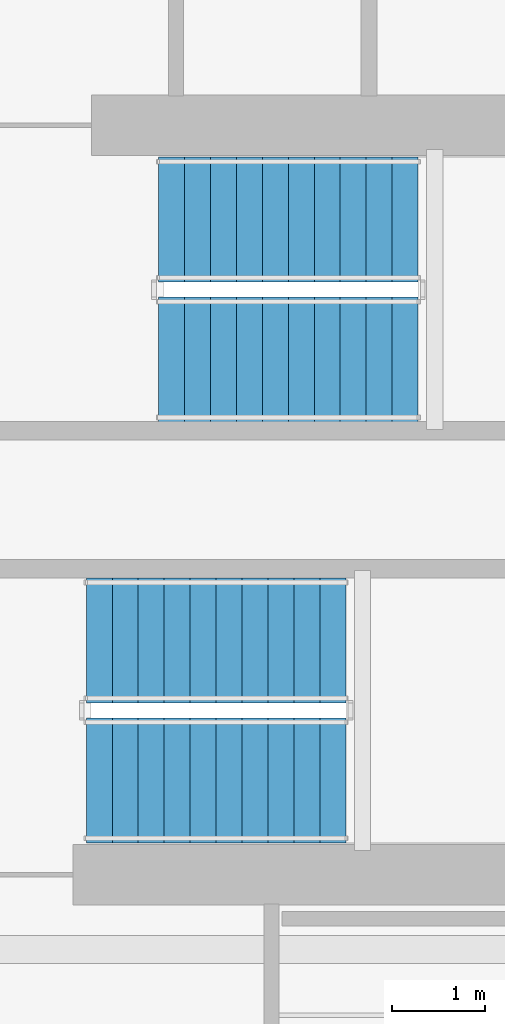
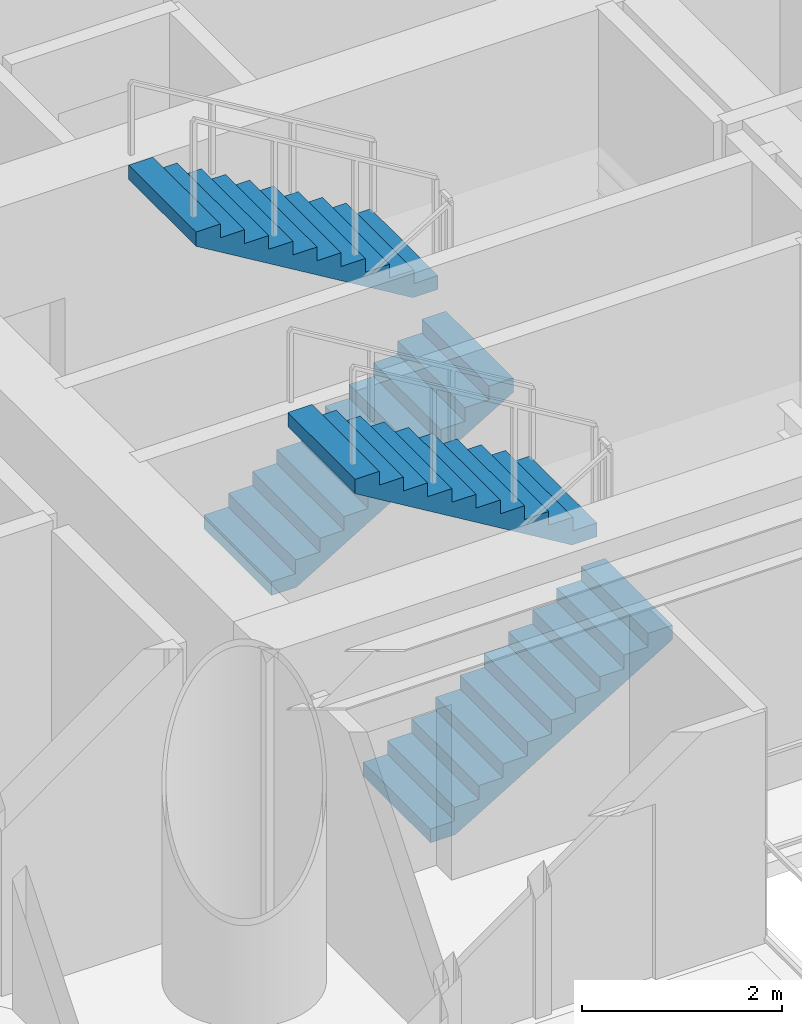
# One storey, part 19 of 23: 4 stair flights, 2 elements without a shape of their own.
"""IFC4 building model written with IfcOpenShell, lengths in metres."""

from ifc_helpers import new_model, si_unit, direction, frame, origin, place, context, subcontext, project, spatial, polyline, outline, extrude, material, type_object, element, aggregate, save


model = new_model("IFC4")

# Units and contexts
model_context = context("Model", 3, precision=1e-05, world=origin(), true_north=direction((0.0, 1.0)))
body_context = subcontext(model_context, "Body", "Model", "MODEL_VIEW")
ifc_project = project(units=[si_unit("LENGTHUNIT", "METRE"), si_unit("AREAUNIT", "SQUARE_METRE"), si_unit("VOLUMEUNIT", "CUBIC_METRE"), si_unit("PLANEANGLEUNIT", "RADIAN"), si_unit("MASSUNIT", "GRAM", prefix="KILO")], contexts=[model_context])

# Site, building, storey
site_placement = place(None, origin())
site = spatial("IfcSite", under=ifc_project, at=site_placement, CompositionType="ELEMENT")
building_placement = place(site_placement, origin())
building = spatial("IfcBuilding", under=site, at=building_placement, Name="Qianvela Tower", CompositionType="ELEMENT")
storey_placement = place(building_placement, frame((0.0, 0.0, 52.5)))
storey = spatial("IfcBuildingStorey", under=building, at=storey_placement, Name="L12", CompositionType="ELEMENT", Elevation=52.5)

# Stair, stair flights
ifc_material_1 = material(Name="Concrete C40", Category="concrete")
stair_type = type_object("IfcStairType", Name="ST-DOGLEG-1350-R168-N22", PredefinedType="HALF_TURN_STAIR", material=ifc_material_1)
stair_1_placement = place(storey_placement, origin())
stair_1 = element("IfcStair", 1, at=stair_1_placement, inside=storey, type_object=stair_type, Name="L12 Smoke-Proof Core Stair ST-1", PredefinedType="HALF_TURN_STAIR")
ifc_material_2 = material(Name="Concrete C40", Category="concrete")
stair_flight_type = type_object("IfcStairFlightType", Name="STF-STRAIGHT-R168-P11", PredefinedType="STRAIGHT", material=ifc_material_2)
stair_flight_1_placement = place(storey_placement, frame((32.199951171875, 30.215087890625, 0.0), z_axis=(0.0, 0.0, 1.0), x_axis=(1.0, 0.0, 0.0)))
stair_flight_1 = element("IfcStairFlight", 2, at=stair_flight_1_placement, type_object=stair_flight_type, Name="ST-1 flight 1", NumberOfRisers=11, NumberOfTreads=10, PredefinedType="STRAIGHT", RiserHeight=0.168181818, TreadLength=0.28, context=body_context, shape_type="SweptSolid", body=[
    extrude(outline(polyline([(0.0, 0.0), (0.0, 0.168212890625), (0.280029296875, 0.168212890625), (0.280029296875, 0.33642578125), (0.56005859375, 0.33642578125), (0.56005859375, 0.504638671875), (0.840087890625, 0.504638671875), (0.840087890625, 0.672607421875), (1.1201171875, 0.672607421875), (1.1201171875, 0.8408203125), (1.39990234375, 0.8408203125), (1.39990234375, 1.009033203125), (1.679931640625, 1.009033203125), (1.679931640625, 1.17724609375), (1.9599609375, 1.17724609375), (1.9599609375, 1.345458984375), (2.239990234375, 1.345458984375), (2.239990234375, 1.513671875), (2.52001953125, 1.513671875), (2.52001953125, 1.681884765625), (2.800048828125, 1.681884765625), (2.800048828125, 1.85009765625), (2.800048828125, 1.5068359375), (0.291015625, 0.0), (0.0, 0.0)])), frame((0.0, 0.675048828125, 0.0), z_axis=(0.0, -1.0, 0.0), x_axis=(1.0, 0.0, 0.0)), (0.0, 0.0, 1.0), 1.35009765625),
])
stair_flight_2_placement = place(storey_placement, frame((35.0, 31.72509765625, 1.85009765625), z_axis=(0.0, 0.0, 1.0), x_axis=(-1.0, 0.0, 0.0)))
stair_flight_2 = element("IfcStairFlight", 3, at=stair_flight_2_placement, type_object=stair_flight_type, Name="ST-1 flight 2", NumberOfRisers=11, NumberOfTreads=10, PredefinedType="STRAIGHT", RiserHeight=0.168181818, TreadLength=0.28, context=body_context, shape_type="SweptSolid", body=[
    extrude(outline(polyline([(0.0, 0.0), (0.0, 0.168212890625), (0.280029296875, 0.168212890625), (0.280029296875, 0.33642578125), (0.56005859375, 0.33642578125), (0.56005859375, 0.504638671875), (0.840087890625, 0.504638671875), (0.840087890625, 0.672607421875), (1.1201171875, 0.672607421875), (1.1201171875, 0.8408203125), (1.39990234375, 0.8408203125), (1.39990234375, 1.009033203125), (1.679931640625, 1.009033203125), (1.679931640625, 1.17724609375), (1.9599609375, 1.17724609375), (1.9599609375, 1.345458984375), (2.239990234375, 1.345458984375), (2.239990234375, 1.513671875), (2.52001953125, 1.513671875), (2.52001953125, 1.681884765625), (2.800048828125, 1.681884765625), (2.800048828125, 1.85009765625), (2.800048828125, 1.5068359375), (0.291015625, 0.0), (0.0, 0.0)])), frame((0.0, 0.675048828125, 0.0), z_axis=(0.0, -1.0, 0.0), x_axis=(1.0, 0.0, 0.0)), (0.0, 0.0, 1.0), 1.35009765625),
])
aggregate(stair_1, [stair_flight_1, stair_flight_2])

stair_2_placement = place(storey_placement, origin())
stair_2 = element("IfcStair", 4, at=stair_2_placement, inside=storey, type_object=stair_type, Name="L12 Smoke-Proof Core Stair ST-2", PredefinedType="HALF_TURN_STAIR")
stair_flight_3_placement = place(storey_placement, frame((31.419921875, 25.675048828125, 0.0), z_axis=(0.0, 0.0, 1.0), x_axis=(1.0, 0.0, 0.0)))
stair_flight_3 = element("IfcStairFlight", 5, at=stair_flight_3_placement, type_object=stair_flight_type, Name="ST-2 flight 1", NumberOfRisers=11, NumberOfTreads=10, PredefinedType="STRAIGHT", RiserHeight=0.168181818, TreadLength=0.28, context=body_context, shape_type="SweptSolid", body=[
    extrude(outline(polyline([(0.0, 0.0), (0.0, 0.168212890625), (0.280029296875, 0.168212890625), (0.280029296875, 0.33642578125), (0.56005859375, 0.33642578125), (0.56005859375, 0.504638671875), (0.840087890625, 0.504638671875), (0.840087890625, 0.672607421875), (1.1201171875, 0.672607421875), (1.1201171875, 0.8408203125), (1.39990234375, 0.8408203125), (1.39990234375, 1.009033203125), (1.679931640625, 1.009033203125), (1.679931640625, 1.17724609375), (1.9599609375, 1.17724609375), (1.9599609375, 1.345458984375), (2.239990234375, 1.345458984375), (2.239990234375, 1.513671875), (2.52001953125, 1.513671875), (2.52001953125, 1.681884765625), (2.800048828125, 1.681884765625), (2.800048828125, 1.85009765625), (2.800048828125, 1.5068359375), (0.291015625, 0.0), (0.0, 0.0)])), frame((0.0, 0.675048828125, 0.0), z_axis=(0.0, -1.0, 0.0), x_axis=(1.0, 0.0, 0.0)), (0.0, 0.0, 1.0), 1.35009765625),
])
stair_flight_4_placement = place(storey_placement, frame((34.219970703125, 27.18505859375, 1.85009765625), z_axis=(0.0, 0.0, 1.0), x_axis=(-1.0, 0.0, 0.0)))
stair_flight_4 = element("IfcStairFlight", 6, at=stair_flight_4_placement, type_object=stair_flight_type, Name="ST-2 flight 2", NumberOfRisers=11, NumberOfTreads=10, PredefinedType="STRAIGHT", RiserHeight=0.168181818, TreadLength=0.28, context=body_context, shape_type="SweptSolid", body=[
    extrude(outline(polyline([(0.0, 0.0), (0.0, 0.168212890625), (0.280029296875, 0.168212890625), (0.280029296875, 0.33642578125), (0.56005859375, 0.33642578125), (0.56005859375, 0.504638671875), (0.840087890625, 0.504638671875), (0.840087890625, 0.672607421875), (1.1201171875, 0.672607421875), (1.1201171875, 0.8408203125), (1.39990234375, 0.8408203125), (1.39990234375, 1.009033203125), (1.679931640625, 1.009033203125), (1.679931640625, 1.17724609375), (1.9599609375, 1.17724609375), (1.9599609375, 1.345458984375), (2.239990234375, 1.345458984375), (2.239990234375, 1.513671875), (2.52001953125, 1.513671875), (2.52001953125, 1.681884765625), (2.800048828125, 1.681884765625), (2.800048828125, 1.85009765625), (2.800048828125, 1.5068359375), (0.291015625, 0.0), (0.0, 0.0)])), frame((0.0, 0.675048828125, 0.0), z_axis=(0.0, -1.0, 0.0), x_axis=(1.0, 0.0, 0.0)), (0.0, 0.0, 1.0), 1.35009765625),
])
aggregate(stair_2, [stair_flight_3, stair_flight_4])

save(model, "model.ifc")
